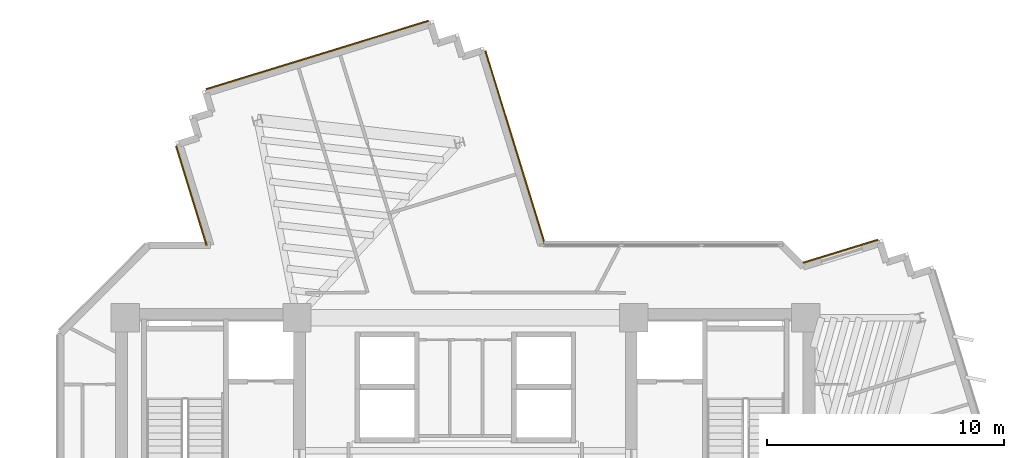
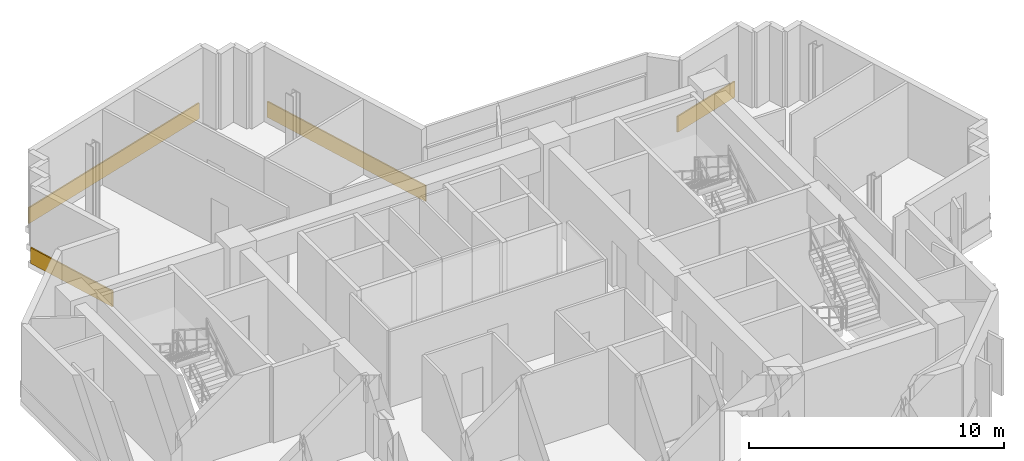
# One storey, part 13 of 13: 4 coverings.
"""IFC4 building model written with IfcOpenShell, lengths in metres."""

from ifc_helpers import new_model, si_unit, direction, frame, origin, origin_2d, place, context, subcontext, project, spatial, rectangle, extrude, source, transform, mapped, material, layer, layer_set, type_object, element, save


model = new_model("IFC4")

# Units and contexts
model_context = context("Model", 3, precision=1e-05, world=origin(), true_north=direction((0.0, 1.0)))
body_context = subcontext(model_context, "Body", "Model", "MODEL_VIEW")
ifc_project = project(units=[si_unit("LENGTHUNIT", "METRE"), si_unit("AREAUNIT", "SQUARE_METRE"), si_unit("VOLUMEUNIT", "CUBIC_METRE"), si_unit("PLANEANGLEUNIT", "RADIAN"), si_unit("MASSUNIT", "GRAM", prefix="KILO")], contexts=[model_context])

# Site, building, storey
site_placement = place(None, origin())
site = spatial("IfcSite", under=ifc_project, at=site_placement, CompositionType="ELEMENT")
building_placement = place(site_placement, origin())
building = spatial("IfcBuilding", under=site, at=building_placement, Name="Zahravan Cultural Tower", CompositionType="ELEMENT")
storey_placement = place(building_placement, frame((0.0, 0.0, 213.60009765625)))
storey = spatial("IfcBuildingStorey", under=building, at=storey_placement, Name="L50", CompositionType="ELEMENT", Elevation=213.60009765625)

# Coverings
ifc_material = material(Name="Terracotta ceramic cladding", Category="masonry")
ifc_layer = layer(ifc_material, 0.06005859375)
ifc_layer_set = layer_set([ifc_layer], Name="Terracotta ceramic cladding")
covering_type = type_object("IfcCoveringType", Name="COV-CLAD-TC60", PredefinedType="CLADDING", material=ifc_layer_set)
shared_shape_1 = source(origin(), body_context, "Body", "SweptSolid", [
    extrude(rectangle(XDim=9.820068359375, YDim=0.06005859375, at=origin_2d()), origin(), (0.0, 0.0, 1.0), 0.760009765625),
])
covering_1_placement = place(storey_placement, frame((29.759033203125, 47.28662109375, 0.02001953125), z_axis=(0.0, 0.0, 1.0), x_axis=(0.955793014798, 0.294040325232, 0.0)))
element("IfcCovering", 1, at=covering_1_placement, inside=storey, type_object=covering_type, Name="L50 Terracotta Spandrel Cladding 46", PredefinedType="CLADDING", context=body_context, shape_type="MappedRepresentation", body=[
    mapped(shared_shape_1, transform((0.0, 0.0, 0.0), x_axis=(1.0, 0.0, 0.0), y_axis=(0.0, 1.0, 0.0), z_axis=(0.0, 0.0, 1.0), scale=1.0)),
])
shared_shape_2 = source(origin(), body_context, "Body", "SweptSolid", [
    extrude(rectangle(XDim=3.302001953125, YDim=0.06005859375, at=origin_2d()), origin(), (0.0, 0.0, 1.0), 0.760009765625),
])
covering_2_placement = place(storey_placement, frame((51.827392578125, 39.009765625, 0.02001953125), z_axis=(0.0, 0.0, 1.0), x_axis=(0.955793014798, 0.294040325232, 0.0)))
element("IfcCovering", 2, at=covering_2_placement, inside=storey, type_object=covering_type, Name="L50 Terracotta Spandrel Cladding 01", PredefinedType="CLADDING", context=body_context, shape_type="MappedRepresentation", body=[
    mapped(shared_shape_2, transform((0.0, 0.0, 0.0), x_axis=(1.0, 0.0, 0.0), y_axis=(0.0, 1.0, 0.0), z_axis=(0.0, 0.0, 1.0), scale=1.0)),
])
shared_shape_3 = source(origin(), body_context, "Body", "SweptSolid", [
    extrude(rectangle(XDim=4.384033203125, YDim=0.06005859375, at=origin_2d()), origin(), (0.0, 0.0, 1.0), 0.760009765625),
])
covering_3_placement = place(storey_placement, frame((24.443359375, 41.3544921875, 0.02001953125), z_axis=(0.0, 0.0, 1.0), x_axis=(-0.294023643452, 0.955798146625, 0.0)))
element("IfcCovering", 3, at=covering_3_placement, inside=storey, type_object=covering_type, Name="L50 Terracotta Spandrel Cladding 41", PredefinedType="CLADDING", context=body_context, shape_type="MappedRepresentation", body=[
    mapped(shared_shape_3, transform((0.0, 0.0, 0.0), x_axis=(1.0, 0.0, 0.0), y_axis=(0.0, 1.0, 0.0), z_axis=(0.0, 0.0, 1.0), scale=1.0)),
])
shared_shape_4 = source(origin(), body_context, "Body", "SweptSolid", [
    extrude(rectangle(XDim=8.481689453125, YDim=0.06005859375, at=origin_2d()), origin(), (0.0, 0.0, 1.0), 0.760009765625),
])
covering_4_placement = place(storey_placement, frame((38.09228515625, 43.40966796875, 0.02001953125), z_axis=(0.0, 0.0, 1.0), x_axis=(0.294040325232, -0.955793014798, 0.0)))
element("IfcCovering", 4, at=covering_4_placement, inside=storey, type_object=covering_type, Name="L50 Terracotta Spandrel Cladding 51", PredefinedType="CLADDING", context=body_context, shape_type="MappedRepresentation", body=[
    mapped(shared_shape_4, transform((0.0, 0.0, 0.0), x_axis=(1.0, 0.0, 0.0), y_axis=(0.0, 1.0, 0.0), z_axis=(0.0, 0.0, 1.0), scale=1.0)),
])

save(model, "model.ifc")
